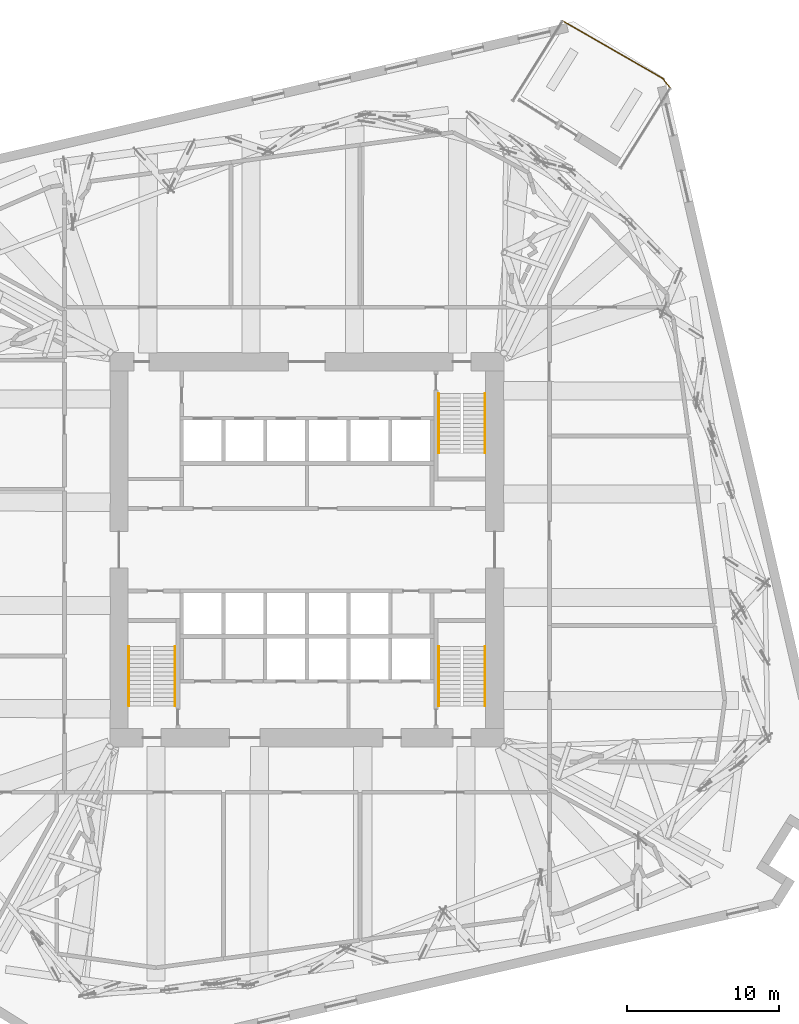
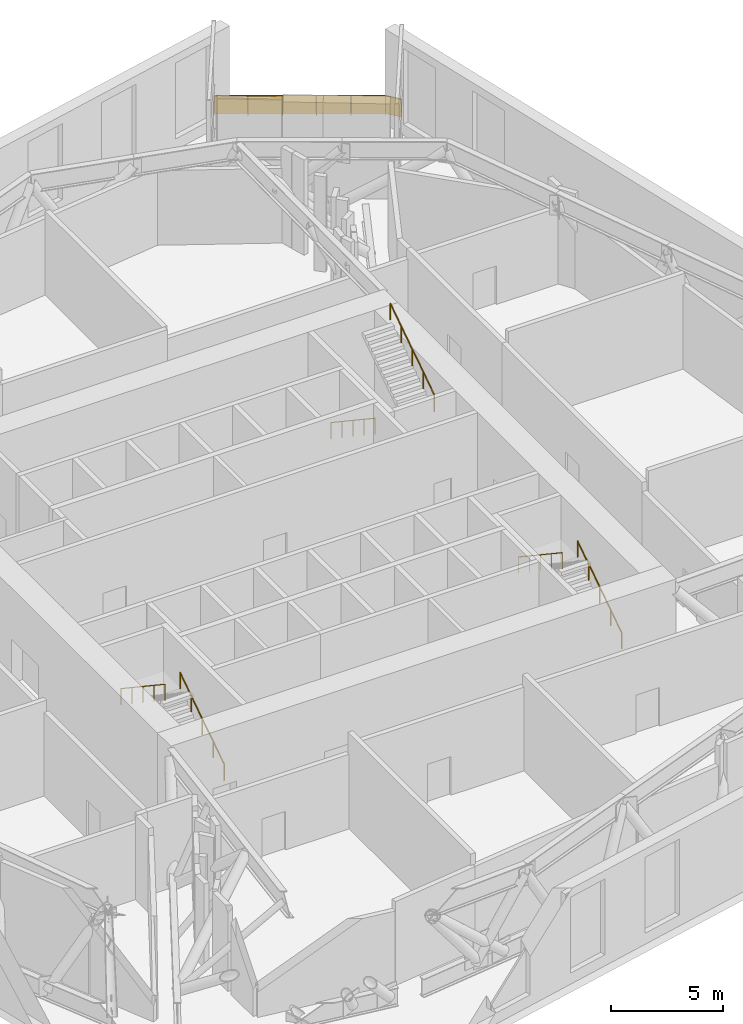
# One storey, part 16 of 17: 7 railings.
"""IFC4 building model written with IfcOpenShell, lengths in metres."""

import ifcopenshell
import ifcopenshell.guid

model = None  # the IFC model being written
_history = None  # IfcOwnerHistory: only IFC2X3 demands one
_inside = {}  # id of a spatial element -> (the spatial element, [elements in it])
_under = {}  # id of a project, library or spatial element -> (it, [spatial elements below it])
_declared = {}  # id of a project -> (the project, [libraries it declares])
_typed = {}  # id of a type object -> (the type object, [elements of that type])
_made_of = {}  # id of a material, layer set ... -> (it, [elements and type objects made of it])


def new_model(schema):
    """Start an empty IFC model of exactly this schema.

    Asked for "IFC4X3", IfcOpenShell would pick the latest addendum, in which some entities
    have other attributes; the version numbers below select the first issue.
    IFC2X3 requires an IfcOwnerHistory on every rooted entity: one is made here for all.
    """
    global model, _history
    if schema == "IFC4X3":
        model = ifcopenshell.file(schema_version=(4, 3, 0, 0))
    else:
        model = ifcopenshell.file(schema=schema)
    _inside.clear()
    _under.clear()
    _declared.clear()
    _typed.clear()
    _made_of.clear()
    _history = None
    if model.schema == "IFC2X3":
        org = make("IfcOrganization", Name="unknown")
        user = make(
            "IfcPersonAndOrganization",
            ThePerson=make("IfcPerson", FamilyName="unknown"),
            TheOrganization=org,
        )
        app = make(
            "IfcApplication",
            ApplicationDeveloper=org,
            Version="unknown",
            ApplicationFullName="unknown",
            ApplicationIdentifier="unknown",
        )
        _history = make(
            "IfcOwnerHistory",
            OwningUser=user,
            OwningApplication=app,
            ChangeAction="ADDED",
            CreationDate=0,
        )
    return model


def make(cls, **values):
    """One entity of the class cls with the attributes given. An attribute that is None is left unset."""
    return model.create_entity(
        cls, **{name: value for name, value in values.items() if value is not None}
    )


def rooted(cls, **values):
    """An entity with a GlobalId (a new one), such as an element, a storey or a relation."""
    return make(cls, GlobalId=ifcopenshell.guid.new(), OwnerHistory=_history, **values)


def si_unit(unit_type, name, prefix=None):
    """IfcSIUnit, for example si_unit("LENGTHUNIT", "METRE", prefix="MILLI")."""
    return make("IfcSIUnit", UnitType=unit_type, Prefix=prefix, Name=name)


def assignment(units):
    """IfcUnitAssignment: the units of a project."""
    return None if units is None else make("IfcUnitAssignment", Units=units)


def point(xyz):
    """IfcCartesianPoint."""
    return None if xyz is None else make("IfcCartesianPoint", Coordinates=xyz)


def direction(xyz):
    """IfcDirection."""
    return None if xyz is None else make("IfcDirection", DirectionRatios=xyz)


def frame(location, z_axis=None, x_axis=None):
    """IfcAxis2Placement3D, a coordinate frame: its origin and axes. An axis left out is left unset."""
    return make(
        "IfcAxis2Placement3D",
        Location=point(location),
        Axis=direction(z_axis),
        RefDirection=direction(x_axis),
    )


def frame_2d(location, x_axis=None):
    """IfcAxis2Placement2D, a coordinate frame in the plane: its origin and x axis."""
    return make(
        "IfcAxis2Placement2D", Location=point(location), RefDirection=direction(x_axis)
    )


def origin():
    """The frame at (0, 0, 0) with its axes left unset."""
    return frame((0.0, 0.0, 0.0))


def origin_2d():
    """The frame at (0, 0) in the plane with its x axis left unset."""
    return frame_2d((0.0, 0.0))


def place(relative_to, where):
    """IfcLocalPlacement: puts the frame where relative to a parent placement (None: the world)."""
    return make(
        "IfcLocalPlacement", PlacementRelTo=relative_to, RelativePlacement=where
    )


def context(
    kind, dimensions, precision=None, world=None, true_north=None, identifier=None
):
    """IfcGeometricRepresentationContext, for example the 3D "Model" context."""
    return make(
        "IfcGeometricRepresentationContext",
        ContextIdentifier=identifier,
        ContextType=kind,
        CoordinateSpaceDimension=dimensions,
        Precision=precision,
        WorldCoordinateSystem=world,
        TrueNorth=true_north,
    )


def subcontext(parent, identifier, kind, view, scale=None):
    """IfcGeometricRepresentationSubContext, for example "Body" below "Model"."""
    return make(
        "IfcGeometricRepresentationSubContext",
        ContextIdentifier=identifier,
        ContextType=kind,
        ParentContext=parent,
        TargetScale=scale,
        TargetView=view,
    )


def project(units=None, contexts=None):
    """IfcProject with its units and contexts."""
    return rooted(
        "IfcProject",
        Name="project",
        RepresentationContexts=contexts,
        UnitsInContext=assignment(units),
    )


def spatial(cls, under=None, at=None, **own):
    """A site, building, storey or space (cls), placed at a placement, below another one or the project."""
    s = rooted(cls, ObjectPlacement=at, **own)
    if under is not None:
        _under.setdefault(under.id(), (under, []))[1].append(s)
    return s


def profile(cls, at=None, kind="AREA", **sizes):
    """A parametric profile (cls). Its sizes go by their IFC names, for example OverallWidth=200.0."""
    return make(cls, ProfileType=kind, Position=at, **sizes)


def rectangle(**sizes):
    """IfcRectangleProfileDef."""
    return profile("IfcRectangleProfileDef", **sizes)


def circle(**sizes):
    """IfcCircleProfileDef."""
    return profile("IfcCircleProfileDef", **sizes)


def extrude(swept, where, along, depth):
    """IfcExtrudedAreaSolid: the profile swept, set in the frame where, extruded along a direction by depth."""
    return make(
        "IfcExtrudedAreaSolid",
        SweptArea=swept,
        Position=where,
        ExtrudedDirection=direction(along),
        Depth=depth,
    )


def shape(context_of_items, identifier, shape_type, items):
    """IfcShapeRepresentation: the items that make up one representation, for example the "Body"."""
    return make(
        "IfcShapeRepresentation",
        ContextOfItems=context_of_items,
        RepresentationIdentifier=identifier,
        RepresentationType=shape_type,
        Items=items,
    )


def material(Name=None, Category=None):
    """IfcMaterial."""
    return make("IfcMaterial", Name=Name, Category=Category)


def made_of(thing, what):
    """Note that an element or type object is made of a material, layer set ...; save() writes the relation."""
    if what is not None:
        _made_of.setdefault(what.id(), (what, []))[1].append(thing)
    return thing


def type_object(cls, material=None, **own):
    """A type object (cls), such as IfcWallType, which elements share."""
    return made_of(rooted(cls, **own), material)


def element(
    cls,
    number,
    at=None,
    inside=None,
    cuts=None,
    type_object=None,
    material=None,
    context=None,
    identifier="Body",
    shape_type=None,
    held_by="IfcProductDefinitionShape",
    body=None,
    shapes=None,
    **own,
):
    """One element of the class cls, such as IfcWall. Its Tag is "e" and its number.

    at: its placement. inside: the storey or other place that contains it. cuts: it is an
    opening in that element (IfcRelVoidsElement). A single representation is given by context,
    identifier, shape_type and body (its items); several are given by shapes. held_by: the class
    of the entity that holds the representations. save() writes the other relations.
    """
    e = rooted(cls, Tag="e%d" % number, ObjectPlacement=at, **own)
    if body is not None:
        shapes = [shape(context, identifier, shape_type, body)]
    if shapes is not None:
        e.Representation = make(held_by, Representations=shapes)
    if inside is not None:
        _inside.setdefault(inside.id(), (inside, []))[1].append(e)
    if cuts is not None:
        rooted(
            "IfcRelVoidsElement", RelatingBuildingElement=cuts, RelatedOpeningElement=e
        )
    if type_object is not None:
        _typed.setdefault(type_object.id(), (type_object, []))[1].append(e)
    return made_of(e, material)


def aggregate(whole, parts):
    """IfcRelAggregates: a whole, such as a stair, and the parts it consists of."""
    return rooted("IfcRelAggregates", RelatingObject=whole, RelatedObjects=parts)


def save(model, path):
    """Write the relations noted so far, then the file.

    IfcRelAggregates (storeys below a building ...), IfcRelContainedInSpatialStructure (elements
    in a storey), IfcRelDefinesByType, IfcRelAssociatesMaterial and IfcRelDeclares: one each for
    every whole, place, type object, material and project.
    """
    for whole, parts in _under.values():
        aggregate(whole, parts)
    for where, things in _inside.values():
        rooted(
            "IfcRelContainedInSpatialStructure",
            RelatedElements=things,
            RelatingStructure=where,
        )
    for kind, things in _typed.values():
        rooted("IfcRelDefinesByType", RelatedObjects=things, RelatingType=kind)
    for what, things in _made_of.values():
        rooted("IfcRelAssociatesMaterial", RelatedObjects=things, RelatingMaterial=what)
    for by, libraries in _declared.values():
        rooted("IfcRelDeclares", RelatingContext=by, RelatedDefinitions=libraries)
    model.write(path)


model = new_model("IFC4")

# Units and contexts
model_context = context("Model", 3, precision=1e-05, world=origin(), true_north=direction((0.0, 1.0)))
body_context = subcontext(model_context, "Body", "Model", "MODEL_VIEW")
ifc_project = project(units=[si_unit("LENGTHUNIT", "METRE"), si_unit("AREAUNIT", "SQUARE_METRE"), si_unit("VOLUMEUNIT", "CUBIC_METRE"), si_unit("PLANEANGLEUNIT", "RADIAN"), si_unit("MASSUNIT", "GRAM", prefix="KILO")], contexts=[model_context])

# Site, building, storey
site_placement = place(None, origin())
site = spatial("IfcSite", under=ifc_project, at=site_placement, CompositionType="ELEMENT")
building_placement = place(site_placement, origin())
building = spatial("IfcBuilding", under=site, at=building_placement, Name="Dilmun Exchange Tower", CompositionType="ELEMENT")
storey_placement = place(building_placement, frame((0.0, 0.0, 76.5)))
storey = spatial("IfcBuildingStorey", under=building, at=storey_placement, Name="L17", CompositionType="ELEMENT", Elevation=76.5)

# Railings
ifc_material = material(Name="Stainless steel", Category="steel")
railing_type_1 = type_object("IfcRailingType", Name="Stair handrail 900", PredefinedType="HANDRAIL", material=ifc_material)
railing_1_placement = place(storey_placement, frame((8.699951171875, 10.300048828125, 0.186767578125)))
element("IfcRailing", 1, at=railing_1_placement, inside=storey, type_object=railing_type_1, Name="L17 ST1 stair handrail 1", PredefinedType="HANDRAIL", context=body_context, shape_type="SweptSolid", body=[
    extrude(circle(Radius=0.02392578125, at=origin_2d()), frame((0.0, 0.0, 0.8759765625), z_axis=(0.0, -0.832066238466, 0.554676279289), x_axis=(1.0, 0.0, 0.0)), (0.0, 0.0, 1.0), 4.71142578125),
    extrude(circle(Radius=0.02099609375, at=origin_2d()), origin(), (0.0, 0.0, 1.0), 0.851806640625),
    extrude(circle(Radius=0.02099609375, at=origin_2d()), frame((0.0, -0.97998046875, 0.6533203125)), (0.0, 0.0, 1.0), 0.851806640625),
    extrude(circle(Radius=0.02099609375, at=origin_2d()), frame((0.0, -1.9599609375, 1.306640625)), (0.0, 0.0, 1.0), 0.851806640625),
    extrude(circle(Radius=0.02099609375, at=origin_2d()), frame((0.0, -2.940185546875, 1.9599609375)), (0.0, 0.0, 1.0), 0.851806640625),
    extrude(circle(Radius=0.02099609375, at=origin_2d()), frame((0.0, -3.920166015625, 2.61328125)), (0.0, 0.0, 1.0), 0.851806640625),
])
railing_2_placement = place(storey_placement, frame((11.75, 6.3798828125, 2.986572265625)))
element("IfcRailing", 2, at=railing_2_placement, inside=storey, type_object=railing_type_1, Name="L17 ST1 stair handrail 2", PredefinedType="HANDRAIL", context=body_context, shape_type="SweptSolid", body=[
    extrude(circle(Radius=0.02392578125, at=origin_2d()), frame((0.0, 0.0, 0.8759765625), z_axis=(0.0, 0.832042322245, 0.554712154178), x_axis=(-1.0, 0.0, 0.0)), (0.0, 0.0, 1.0), 4.71142578125),
    extrude(circle(Radius=0.02099609375, at=origin_2d()), origin(), (0.0, 0.0, 1.0), 0.851806640625),
    extrude(circle(Radius=0.02099609375, at=origin_2d()), frame((0.0, 0.97998046875, 0.6533203125)), (0.0, 0.0, 1.0), 0.851806640625),
    extrude(circle(Radius=0.02099609375, at=origin_2d()), frame((0.0, 1.9599609375, 1.306640625)), (0.0, 0.0, 1.0), 0.851806640625),
    extrude(circle(Radius=0.02099609375, at=origin_2d()), frame((0.0, 2.940185546875, 1.960205078125)), (0.0, 0.0, 1.0), 0.851806640625),
    extrude(circle(Radius=0.02099609375, at=origin_2d()), frame((0.0, 3.920166015625, 2.613525390625)), (0.0, 0.0, 1.0), 0.851806640625),
])
railing_3_placement = place(storey_placement, frame((-8.699951171875, -10.300048828125, 0.186767578125)))
element("IfcRailing", 3, at=railing_3_placement, inside=storey, type_object=railing_type_1, Name="L17 ST2 stair handrail 1", PredefinedType="HANDRAIL", context=body_context, shape_type="SweptSolid", body=[
    extrude(circle(Radius=0.02392578125, at=origin_2d()), frame((0.0, 0.0, 0.8759765625), z_axis=(0.0, 0.832066238466, 0.554676279289), x_axis=(-1.0, 0.0, 0.0)), (0.0, 0.0, 1.0), 4.71142578125),
    extrude(circle(Radius=0.02099609375, at=origin_2d()), origin(), (0.0, 0.0, 1.0), 0.851806640625),
    extrude(circle(Radius=0.02099609375, at=origin_2d()), frame((0.0, 0.97998046875, 0.6533203125)), (0.0, 0.0, 1.0), 0.851806640625),
    extrude(circle(Radius=0.02099609375, at=origin_2d()), frame((0.0, 1.9599609375, 1.306640625)), (0.0, 0.0, 1.0), 0.851806640625),
    extrude(circle(Radius=0.02099609375, at=origin_2d()), frame((0.0, 2.940185546875, 1.9599609375)), (0.0, 0.0, 1.0), 0.851806640625),
    extrude(circle(Radius=0.02099609375, at=origin_2d()), frame((0.0, 3.920166015625, 2.61328125)), (0.0, 0.0, 1.0), 0.851806640625),
])
railing_4_placement = place(storey_placement, frame((-11.75, -6.3798828125, 2.986572265625)))
element("IfcRailing", 4, at=railing_4_placement, inside=storey, type_object=railing_type_1, Name="L17 ST2 stair handrail 2", PredefinedType="HANDRAIL", context=body_context, shape_type="SweptSolid", body=[
    extrude(circle(Radius=0.02392578125, at=origin_2d()), frame((0.0, 0.0, 0.8759765625), z_axis=(0.0, -0.832042322245, 0.554712154178), x_axis=(1.0, 0.0, 0.0)), (0.0, 0.0, 1.0), 4.71142578125),
    extrude(circle(Radius=0.02099609375, at=origin_2d()), origin(), (0.0, 0.0, 1.0), 0.851806640625),
    extrude(circle(Radius=0.02099609375, at=origin_2d()), frame((0.0, -0.97998046875, 0.6533203125)), (0.0, 0.0, 1.0), 0.851806640625),
    extrude(circle(Radius=0.02099609375, at=origin_2d()), frame((0.0, -1.9599609375, 1.306640625)), (0.0, 0.0, 1.0), 0.851806640625),
    extrude(circle(Radius=0.02099609375, at=origin_2d()), frame((0.0, -2.940185546875, 1.960205078125)), (0.0, 0.0, 1.0), 0.851806640625),
    extrude(circle(Radius=0.02099609375, at=origin_2d()), frame((0.0, -3.920166015625, 2.613525390625)), (0.0, 0.0, 1.0), 0.851806640625),
])
railing_5_placement = place(storey_placement, frame((11.75, -10.300048828125, 0.186767578125)))
element("IfcRailing", 5, at=railing_5_placement, inside=storey, type_object=railing_type_1, Name="L17 ST3 stair handrail 1", PredefinedType="HANDRAIL", context=body_context, shape_type="SweptSolid", body=[
    extrude(circle(Radius=0.02392578125, at=origin_2d()), frame((0.0, 0.0, 0.8759765625), z_axis=(0.0, 0.832066238466, 0.554676279289), x_axis=(-1.0, 0.0, 0.0)), (0.0, 0.0, 1.0), 4.71142578125),
    extrude(circle(Radius=0.02099609375, at=origin_2d()), origin(), (0.0, 0.0, 1.0), 0.851806640625),
    extrude(circle(Radius=0.02099609375, at=origin_2d()), frame((0.0, 0.97998046875, 0.6533203125)), (0.0, 0.0, 1.0), 0.851806640625),
    extrude(circle(Radius=0.02099609375, at=origin_2d()), frame((0.0, 1.9599609375, 1.306640625)), (0.0, 0.0, 1.0), 0.851806640625),
    extrude(circle(Radius=0.02099609375, at=origin_2d()), frame((0.0, 2.940185546875, 1.9599609375)), (0.0, 0.0, 1.0), 0.851806640625),
    extrude(circle(Radius=0.02099609375, at=origin_2d()), frame((0.0, 3.920166015625, 2.61328125)), (0.0, 0.0, 1.0), 0.851806640625),
])
railing_6_placement = place(storey_placement, frame((8.699951171875, -6.3798828125, 2.986572265625)))
element("IfcRailing", 6, at=railing_6_placement, inside=storey, type_object=railing_type_1, Name="L17 ST3 stair handrail 2", PredefinedType="HANDRAIL", context=body_context, shape_type="SweptSolid", body=[
    extrude(circle(Radius=0.02392578125, at=origin_2d()), frame((0.0, 0.0, 0.8759765625), z_axis=(0.0, -0.832042322245, 0.554712154178), x_axis=(1.0, 0.0, 0.0)), (0.0, 0.0, 1.0), 4.71142578125),
    extrude(circle(Radius=0.02099609375, at=origin_2d()), origin(), (0.0, 0.0, 1.0), 0.851806640625),
    extrude(circle(Radius=0.02099609375, at=origin_2d()), frame((0.0, -0.97998046875, 0.6533203125)), (0.0, 0.0, 1.0), 0.851806640625),
    extrude(circle(Radius=0.02099609375, at=origin_2d()), frame((0.0, -1.9599609375, 1.306640625)), (0.0, 0.0, 1.0), 0.851806640625),
    extrude(circle(Radius=0.02099609375, at=origin_2d()), frame((0.0, -2.940185546875, 1.960205078125)), (0.0, 0.0, 1.0), 0.851806640625),
    extrude(circle(Radius=0.02099609375, at=origin_2d()), frame((0.0, -3.920166015625, 2.613525390625)), (0.0, 0.0, 1.0), 0.851806640625),
])
railing_type_2 = type_object("IfcRailingType", Name="Terrace guard 1100 stainless steel", PredefinedType="GUARDRAIL", material=ifc_material)
railing_7_placement = place(storey_placement, frame((16.869140625, 34.9013671875, 0.0)))
element("IfcRailing", 7, at=railing_7_placement, inside=storey, type_object=railing_type_2, Name="Terrace guard 1", PredefinedType="GUARDRAIL", context=body_context, shape_type="SweptSolid", body=[
    extrude(circle(Radius=0.02392578125, at=origin_2d()), frame((0.0, 0.0, 1.076171875), z_axis=(0.866629576957, -0.498952078203, 0.0), x_axis=(0.498952078203, 0.866629576957, 0.0)), (0.0, 0.0, 1.0), 7.63818359375),
    extrude(rectangle(XDim=0.011962890625, YDim=0.951904296875, at=origin_2d()), frame((0.0, 0.0, 0.576171875), z_axis=(0.866629576957, -0.498952078203, 0.0), x_axis=(0.498952078203, 0.866629576957, 0.0)), (0.0, 0.0, 1.0), 7.63818359375),
    extrude(circle(Radius=0.02392578125, at=origin_2d()), frame((6.619384765625, -3.81103515625, 1.076171875), z_axis=(0.611298790316, -0.791399891937, 0.0), x_axis=(0.791399891937, 0.611298790316, 0.0)), (0.0, 0.0, 1.0), 0.79443359375),
    extrude(rectangle(XDim=0.011962890625, YDim=0.951904296875, at=origin_2d()), frame((6.619384765625, -3.81103515625, 0.576171875), z_axis=(0.611298790316, -0.791399891937, 0.0), x_axis=(0.791399891937, 0.611298790316, 0.0)), (0.0, 0.0, 1.0), 0.79443359375),
    extrude(circle(Radius=0.02099609375, at=origin_2d()), origin(), (0.0, 0.0, 1.0), 1.052001953125),
    extrude(circle(Radius=0.02099609375, at=origin_2d()), frame((1.323974609375, -0.76220703125, 0.0)), (0.0, 0.0, 1.0), 1.052001953125),
    extrude(circle(Radius=0.02099609375, at=origin_2d()), frame((2.647705078125, -1.5244140625, 0.0)), (0.0, 0.0, 1.0), 1.052001953125),
    extrude(circle(Radius=0.02099609375, at=origin_2d()), frame((3.9716796875, -2.28662109375, 0.0)), (0.0, 0.0, 1.0), 1.052001953125),
    extrude(circle(Radius=0.02099609375, at=origin_2d()), frame((5.29541015625, -3.048828125, 0.0)), (0.0, 0.0, 1.0), 1.052001953125),
    extrude(circle(Radius=0.02099609375, at=origin_2d()), frame((6.619384765625, -3.81103515625, 0.0)), (0.0, 0.0, 1.0), 1.052001953125),
    extrude(circle(Radius=0.02099609375, at=origin_2d()), frame((7.10498046875, -4.439697265625, 0.0)), (0.0, 0.0, 1.0), 1.052001953125),
])

save(model, "model.ifc")
